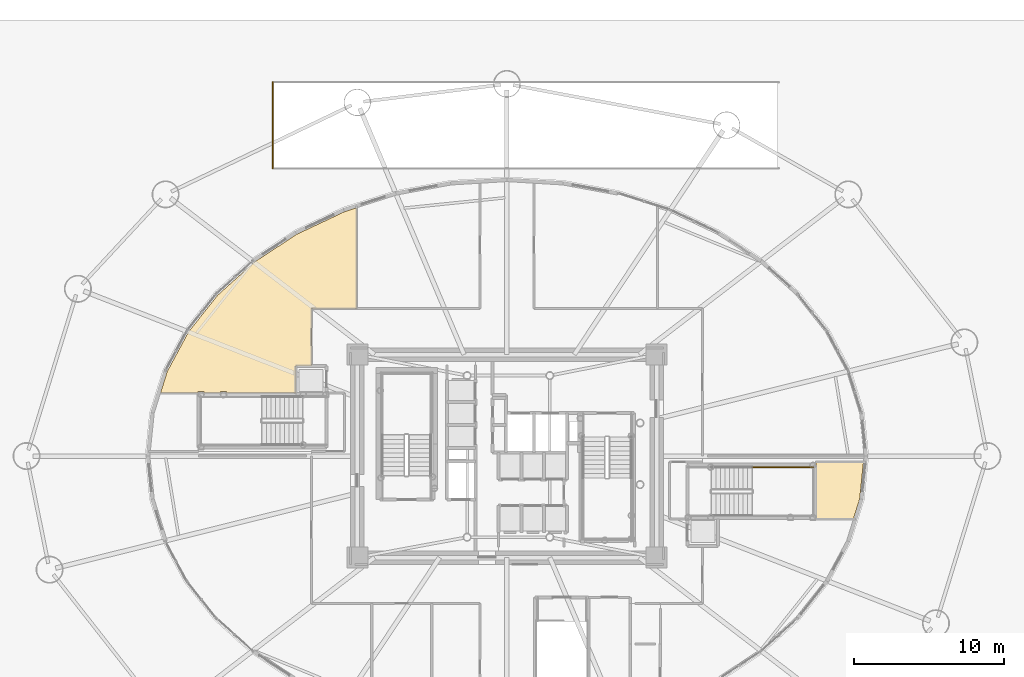
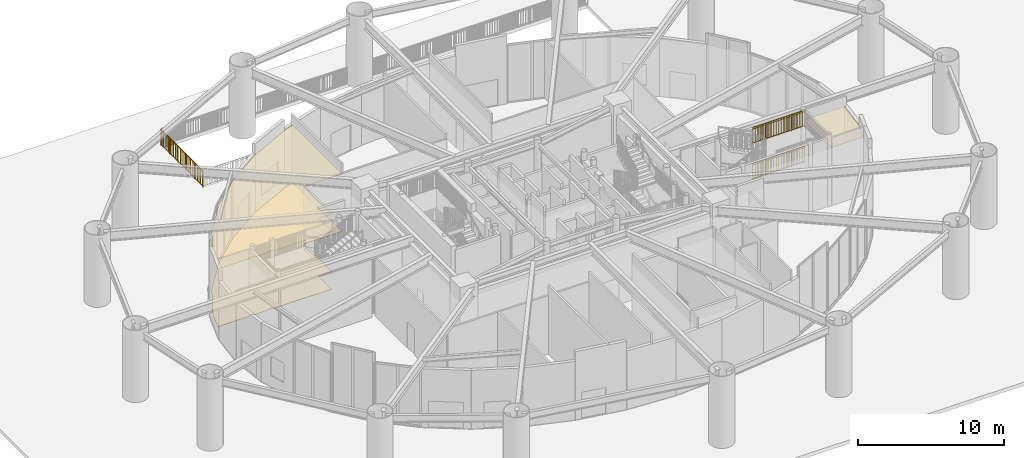
# One storey, part 44 of 46: 3 coverings, 3 railings.
"""IFC4 building model written with IfcOpenShell, lengths in metres."""

from ifc_helpers import new_model, si_unit, direction, frame, origin, origin_2d, place, context, subcontext, project, spatial, polyline, rectangle, outline, extrude, source, transform, mapped, material, layer, layer_set, type_object, element, save


model = new_model("IFC4")

# Units and contexts
model_context = context("Model", 3, precision=1e-05, world=origin(), true_north=direction((0.0, 1.0)))
body_context = subcontext(model_context, "Body", "Model", "MODEL_VIEW")
ifc_project = project(units=[si_unit("LENGTHUNIT", "METRE"), si_unit("AREAUNIT", "SQUARE_METRE"), si_unit("VOLUMEUNIT", "CUBIC_METRE"), si_unit("PLANEANGLEUNIT", "RADIAN"), si_unit("MASSUNIT", "GRAM", prefix="KILO")], contexts=[model_context])

# Site, building, storey
site_placement = place(None, origin())
site = spatial("IfcSite", under=ifc_project, at=site_placement, CompositionType="ELEMENT")
building_placement = place(site_placement, origin())
building = spatial("IfcBuilding", under=site, at=building_placement, Name="Linh Dai School and Residence Tower", CompositionType="ELEMENT")
storey_placement = place(building_placement, origin())
storey = spatial("IfcBuildingStorey", under=building, at=storey_placement, Name="L00", CompositionType="ELEMENT", Elevation=0.0)

# Coverings
ifc_material_1 = material(Name="Mineral Fibre Acoustic Suspended Ceiling", Category="masonry")
ifc_layer_1 = layer(ifc_material_1, 0.02001953125)
ifc_layer_set_1 = layer_set([ifc_layer_1], Name="Mineral Fibre Acoustic Suspended Ceiling")
covering_type_1 = type_object("IfcCoveringType", Name="COV-CEIL-AC-20", PredefinedType="CEILING", material=ifc_layer_set_1)
covering_1_placement = place(storey_placement, frame((0.0, 0.0, 4.800048828125)))
element("IfcCovering", 1, at=covering_1_placement, inside=storey, type_object=covering_type_1, Name="L00 Protected Exit Stair STS2 Discharge Passage East Suspended Ceiling", PredefinedType="CEILING", context=body_context, shape_type="SweptSolid", body=[
    extrude(outline(polyline([(56.55322265625, 26.60009765625), (59.709228515625, 26.60009765625), (59.459716796875, 24.15625), (59.037109375, 22.800048828125), (56.55322265625, 22.800048828125), (56.55322265625, 23.123291015625), (56.52001953125, 23.123291015625), (56.52001953125, 26.1767578125), (56.55322265625, 26.1767578125), (56.55322265625, 26.60009765625)])), origin(), (0.0, 0.0, 1.0), 0.02001953125),
])
covering_2_placement = place(storey_placement, frame((0.0, 0.0, 4.800048828125)))
element("IfcCovering", 2, at=covering_2_placement, inside=storey, type_object=covering_type_1, Name="L00 Vertical School Dedicated Entrance Foyer Suspended Ceiling", PredefinedType="CEILING", context=body_context, shape_type="SweptSolid", body=[
    extrude(outline(polyline([(13.405029296875, 32.61962890625), (14.824462890625, 35.260986328125), (16.765380859375, 37.70263671875), (19.18212890625, 39.883544921875), (22.015380859375, 41.748779296875), (25.195556640625, 43.2509765625), (26.0, 43.5078125), (26.0, 36.800048828125), (23.0, 36.800048828125), (23.0, 33.0), (21.949951171875, 33.0), (21.949951171875, 31.199951171875), (17.353271484375, 31.199951171875), (17.353271484375, 31.283203125), (16.94677734375, 31.283203125), (16.94677734375, 31.199951171875), (15.853271484375, 31.199951171875), (15.853271484375, 31.283203125), (15.44677734375, 31.283203125), (15.44677734375, 31.199951171875), (12.962890625, 31.199951171875), (13.405029296875, 32.61962890625)])), origin(), (0.0, 0.0, 1.0), 0.02001953125),
])
ifc_material_2 = material(Name="Polished Terrazzo Floor Finish", Category="masonry")
ifc_layer_2 = layer(ifc_material_2, 0.02490234375)
ifc_layer_set_2 = layer_set([ifc_layer_2], Name="Polished Terrazzo Floor Finish")
covering_type_2 = type_object("IfcCoveringType", Name="COV-FLR-TRZ-25", PredefinedType="FLOORING", material=ifc_layer_set_2)
covering_3_placement = place(storey_placement, origin())
element("IfcCovering", 3, at=covering_3_placement, inside=storey, type_object=covering_type_2, Name="L00 Vertical School Dedicated Entrance Foyer Floor Finish", PredefinedType="FLOORING", context=body_context, shape_type="SweptSolid", body=[
    extrude(outline(polyline([(13.405029296875, 32.61962890625), (14.824462890625, 35.260986328125), (16.765380859375, 37.70263671875), (19.18212890625, 39.883544921875), (22.015380859375, 41.748779296875), (25.195556640625, 43.2509765625), (26.0, 43.5078125), (26.0, 36.800048828125), (23.0, 36.800048828125), (23.0, 33.0), (21.949951171875, 33.0), (21.949951171875, 31.199951171875), (17.353271484375, 31.199951171875), (17.353271484375, 31.283203125), (16.94677734375, 31.283203125), (16.94677734375, 31.199951171875), (15.853271484375, 31.199951171875), (15.853271484375, 31.283203125), (15.44677734375, 31.283203125), (15.44677734375, 31.199951171875), (12.962890625, 31.199951171875), (13.405029296875, 32.61962890625)])), origin(), (0.0, 0.0, 1.0), 0.02001953125),
])

# Railings
ifc_material_3 = material(Name="Structural Steel S355JR", Category="steel")
railing_type_1 = type_object("IfcRailingType", Name="RLG-SGRD", PredefinedType="GUARDRAIL", material=ifc_material_3)
shared_shape_1 = source(origin(), body_context, "Body", "SweptSolid", [
    extrude(rectangle(XDim=0.048095703125, YDim=0.048095703125, at=origin_2d()), frame((0.0, 0.0, 1.3759765625), z_axis=(0.0, -1.0, 0.0), x_axis=(1.0, 0.0, 0.0)), (0.0, 0.0, 1.0), 5.72705078125),
    extrude(rectangle(XDim=0.048095703125, YDim=0.048095703125, at=origin_2d()), frame((0.0, 0.0, 0.10009765625), z_axis=(0.0, -1.0, 0.0), x_axis=(1.0, 0.0, 0.0)), (0.0, 0.0, 1.0), 5.72705078125),
    extrude(rectangle(XDim=0.030029296875, YDim=0.030029296875, at=origin_2d()), frame((0.0, 0.0, 1.239990234375), z_axis=(0.0, -1.0, 0.0), x_axis=(1.0, 0.0, 0.0)), (0.0, 0.0, 1.0), 5.72705078125),
    extrude(rectangle(XDim=0.02001953125, YDim=0.02001953125, at=origin_2d()), frame((0.0, -0.09716796875, 0.10009765625)), (0.0, 0.0, 1.0), 1.251708984375),
    extrude(rectangle(XDim=0.02001953125, YDim=0.02001953125, at=origin_2d()), frame((0.0, -0.194091796875, 0.10009765625)), (0.0, 0.0, 1.0), 1.251708984375),
    extrude(rectangle(XDim=0.02001953125, YDim=0.02001953125, at=origin_2d()), frame((0.0, -0.291259765625, 0.10009765625)), (0.0, 0.0, 1.0), 1.251708984375),
    extrude(rectangle(XDim=0.02001953125, YDim=0.02001953125, at=origin_2d()), frame((0.0, -0.38818359375, 0.10009765625)), (0.0, 0.0, 1.0), 1.251708984375),
    extrude(rectangle(XDim=0.02001953125, YDim=0.02001953125, at=origin_2d()), frame((0.0, -0.4853515625, 0.10009765625)), (0.0, 0.0, 1.0), 1.251708984375),
    extrude(rectangle(XDim=0.02001953125, YDim=0.02001953125, at=origin_2d()), frame((0.0, -0.58251953125, 0.10009765625)), (0.0, 0.0, 1.0), 1.251708984375),
    extrude(rectangle(XDim=0.02001953125, YDim=0.02001953125, at=origin_2d()), frame((0.0, -0.679443359375, 0.10009765625)), (0.0, 0.0, 1.0), 1.251708984375),
    extrude(rectangle(XDim=0.02001953125, YDim=0.02001953125, at=origin_2d()), frame((0.0, -0.776611328125, 0.10009765625)), (0.0, 0.0, 1.0), 1.251708984375),
    extrude(rectangle(XDim=0.02001953125, YDim=0.02001953125, at=origin_2d()), frame((0.0, -0.87353515625, 0.10009765625)), (0.0, 0.0, 1.0), 1.251708984375),
    extrude(rectangle(XDim=0.02001953125, YDim=0.02001953125, at=origin_2d()), frame((0.0, -0.970703125, 0.10009765625)), (0.0, 0.0, 1.0), 1.251708984375),
    extrude(rectangle(XDim=0.02001953125, YDim=0.02001953125, at=origin_2d()), frame((0.0, -1.06787109375, 0.10009765625)), (0.0, 0.0, 1.0), 1.251708984375),
    extrude(rectangle(XDim=0.02001953125, YDim=0.02001953125, at=origin_2d()), frame((0.0, -1.261962890625, 0.10009765625)), (0.0, 0.0, 1.0), 1.251708984375),
    extrude(rectangle(XDim=0.02001953125, YDim=0.02001953125, at=origin_2d()), frame((0.0, -1.35888671875, 0.10009765625)), (0.0, 0.0, 1.0), 1.251708984375),
    extrude(rectangle(XDim=0.02001953125, YDim=0.02001953125, at=origin_2d()), frame((0.0, -1.4560546875, 0.10009765625)), (0.0, 0.0, 1.0), 1.251708984375),
    extrude(rectangle(XDim=0.02001953125, YDim=0.02001953125, at=origin_2d()), frame((0.0, -1.552978515625, 0.10009765625)), (0.0, 0.0, 1.0), 1.251708984375),
    extrude(rectangle(XDim=0.02001953125, YDim=0.02001953125, at=origin_2d()), frame((0.0, -1.650146484375, 0.10009765625)), (0.0, 0.0, 1.0), 1.251708984375),
    extrude(rectangle(XDim=0.02001953125, YDim=0.02001953125, at=origin_2d()), frame((0.0, -1.747314453125, 0.10009765625)), (0.0, 0.0, 1.0), 1.251708984375),
    extrude(rectangle(XDim=0.02001953125, YDim=0.02001953125, at=origin_2d()), frame((0.0, -1.84423828125, 0.10009765625)), (0.0, 0.0, 1.0), 1.251708984375),
    extrude(rectangle(XDim=0.02001953125, YDim=0.02001953125, at=origin_2d()), frame((0.0, -1.94140625, 0.10009765625)), (0.0, 0.0, 1.0), 1.251708984375),
    extrude(rectangle(XDim=0.02001953125, YDim=0.02001953125, at=origin_2d()), frame((0.0, -2.038330078125, 0.10009765625)), (0.0, 0.0, 1.0), 1.251708984375),
    extrude(rectangle(XDim=0.02001953125, YDim=0.02001953125, at=origin_2d()), frame((0.0, -2.135498046875, 0.10009765625)), (0.0, 0.0, 1.0), 1.251708984375),
    extrude(rectangle(XDim=0.02001953125, YDim=0.02001953125, at=origin_2d()), frame((0.0, -2.232666015625, 0.10009765625)), (0.0, 0.0, 1.0), 1.251708984375),
    extrude(rectangle(XDim=0.02001953125, YDim=0.02001953125, at=origin_2d()), frame((0.0, -2.4267578125, 0.10009765625)), (0.0, 0.0, 1.0), 1.251708984375),
    extrude(rectangle(XDim=0.02001953125, YDim=0.02001953125, at=origin_2d()), frame((0.0, -2.523681640625, 0.10009765625)), (0.0, 0.0, 1.0), 1.251708984375),
    extrude(rectangle(XDim=0.02001953125, YDim=0.02001953125, at=origin_2d()), frame((0.0, -2.620849609375, 0.10009765625)), (0.0, 0.0, 1.0), 1.251708984375),
    extrude(rectangle(XDim=0.02001953125, YDim=0.02001953125, at=origin_2d()), frame((0.0, -2.718017578125, 0.10009765625)), (0.0, 0.0, 1.0), 1.251708984375),
    extrude(rectangle(XDim=0.02001953125, YDim=0.02001953125, at=origin_2d()), frame((0.0, -2.81494140625, 0.10009765625)), (0.0, 0.0, 1.0), 1.251708984375),
    extrude(rectangle(XDim=0.02001953125, YDim=0.02001953125, at=origin_2d()), frame((0.0, -2.912109375, 0.10009765625)), (0.0, 0.0, 1.0), 1.251708984375),
    extrude(rectangle(XDim=0.02001953125, YDim=0.02001953125, at=origin_2d()), frame((0.0, -3.009033203125, 0.10009765625)), (0.0, 0.0, 1.0), 1.251708984375),
    extrude(rectangle(XDim=0.02001953125, YDim=0.02001953125, at=origin_2d()), frame((0.0, -3.106201171875, 0.10009765625)), (0.0, 0.0, 1.0), 1.251708984375),
    extrude(rectangle(XDim=0.02001953125, YDim=0.02001953125, at=origin_2d()), frame((0.0, -3.203369140625, 0.10009765625)), (0.0, 0.0, 1.0), 1.251708984375),
    extrude(rectangle(XDim=0.02001953125, YDim=0.02001953125, at=origin_2d()), frame((0.0, -3.30029296875, 0.10009765625)), (0.0, 0.0, 1.0), 1.251708984375),
    extrude(rectangle(XDim=0.02001953125, YDim=0.02001953125, at=origin_2d()), frame((0.0, -3.494384765625, 0.10009765625)), (0.0, 0.0, 1.0), 1.251708984375),
    extrude(rectangle(XDim=0.02001953125, YDim=0.02001953125, at=origin_2d()), frame((0.0, -3.591552734375, 0.10009765625)), (0.0, 0.0, 1.0), 1.251708984375),
    extrude(rectangle(XDim=0.02001953125, YDim=0.02001953125, at=origin_2d()), frame((0.0, -3.688720703125, 0.10009765625)), (0.0, 0.0, 1.0), 1.251708984375),
    extrude(rectangle(XDim=0.02001953125, YDim=0.02001953125, at=origin_2d()), frame((0.0, -3.78564453125, 0.10009765625)), (0.0, 0.0, 1.0), 1.251708984375),
    extrude(rectangle(XDim=0.02001953125, YDim=0.02001953125, at=origin_2d()), frame((0.0, -3.8828125, 0.10009765625)), (0.0, 0.0, 1.0), 1.251708984375),
    extrude(rectangle(XDim=0.02001953125, YDim=0.02001953125, at=origin_2d()), frame((0.0, -3.979736328125, 0.10009765625)), (0.0, 0.0, 1.0), 1.251708984375),
    extrude(rectangle(XDim=0.02001953125, YDim=0.02001953125, at=origin_2d()), frame((0.0, -4.076904296875, 0.10009765625)), (0.0, 0.0, 1.0), 1.251708984375),
    extrude(rectangle(XDim=0.02001953125, YDim=0.02001953125, at=origin_2d()), frame((0.0, -4.174072265625, 0.10009765625)), (0.0, 0.0, 1.0), 1.251708984375),
    extrude(rectangle(XDim=0.02001953125, YDim=0.02001953125, at=origin_2d()), frame((0.0, -4.27099609375, 0.10009765625)), (0.0, 0.0, 1.0), 1.251708984375),
    extrude(rectangle(XDim=0.02001953125, YDim=0.02001953125, at=origin_2d()), frame((0.0, -4.3681640625, 0.10009765625)), (0.0, 0.0, 1.0), 1.251708984375),
    extrude(rectangle(XDim=0.02001953125, YDim=0.02001953125, at=origin_2d()), frame((0.0, -4.465087890625, 0.10009765625)), (0.0, 0.0, 1.0), 1.251708984375),
    extrude(rectangle(XDim=0.02001953125, YDim=0.02001953125, at=origin_2d()), frame((0.0, -4.6591796875, 0.10009765625)), (0.0, 0.0, 1.0), 1.251708984375),
    extrude(rectangle(XDim=0.02001953125, YDim=0.02001953125, at=origin_2d()), frame((0.0, -4.75634765625, 0.10009765625)), (0.0, 0.0, 1.0), 1.251708984375),
    extrude(rectangle(XDim=0.02001953125, YDim=0.02001953125, at=origin_2d()), frame((0.0, -4.853515625, 0.10009765625)), (0.0, 0.0, 1.0), 1.251708984375),
    extrude(rectangle(XDim=0.02001953125, YDim=0.02001953125, at=origin_2d()), frame((0.0, -4.950439453125, 0.10009765625)), (0.0, 0.0, 1.0), 1.251708984375),
    extrude(rectangle(XDim=0.02001953125, YDim=0.02001953125, at=origin_2d()), frame((0.0, -5.047607421875, 0.10009765625)), (0.0, 0.0, 1.0), 1.251708984375),
    extrude(rectangle(XDim=0.02001953125, YDim=0.02001953125, at=origin_2d()), frame((0.0, -5.14453125, 0.10009765625)), (0.0, 0.0, 1.0), 1.251708984375),
    extrude(rectangle(XDim=0.02001953125, YDim=0.02001953125, at=origin_2d()), frame((0.0, -5.24169921875, 0.10009765625)), (0.0, 0.0, 1.0), 1.251708984375),
    extrude(rectangle(XDim=0.02001953125, YDim=0.02001953125, at=origin_2d()), frame((0.0, -5.3388671875, 0.10009765625)), (0.0, 0.0, 1.0), 1.251708984375),
    extrude(rectangle(XDim=0.02001953125, YDim=0.02001953125, at=origin_2d()), frame((0.0, -5.435791015625, 0.10009765625)), (0.0, 0.0, 1.0), 1.251708984375),
    extrude(rectangle(XDim=0.02001953125, YDim=0.02001953125, at=origin_2d()), frame((0.0, -5.532958984375, 0.10009765625)), (0.0, 0.0, 1.0), 1.251708984375),
    extrude(rectangle(XDim=0.02001953125, YDim=0.02001953125, at=origin_2d()), frame((0.0, -5.6298828125, 0.10009765625)), (0.0, 0.0, 1.0), 1.251708984375),
    extrude(rectangle(XDim=0.0419921875, YDim=0.0419921875, at=origin_2d()), origin(), (0.0, 0.0, 1.0), 1.3759765625),
    extrude(rectangle(XDim=0.0419921875, YDim=0.0419921875, at=origin_2d()), frame((0.0, -1.1455078125, 0.0)), (0.0, 0.0, 1.0), 1.3759765625),
    extrude(rectangle(XDim=0.0419921875, YDim=0.0419921875, at=origin_2d()), frame((0.0, -2.290771484375, 0.0)), (0.0, 0.0, 1.0), 1.3759765625),
    extrude(rectangle(XDim=0.0419921875, YDim=0.0419921875, at=origin_2d()), frame((0.0, -3.436279296875, 0.0)), (0.0, 0.0, 1.0), 1.3759765625),
    extrude(rectangle(XDim=0.0419921875, YDim=0.0419921875, at=origin_2d()), frame((0.0, -4.58154296875, 0.0)), (0.0, 0.0, 1.0), 1.3759765625),
    extrude(rectangle(XDim=0.0419921875, YDim=0.0419921875, at=origin_2d()), frame((0.0, -5.72705078125, 0.0)), (0.0, 0.0, 1.0), 1.3759765625),
])
railing_placement = place(storey_placement, frame((20.421142578125, 51.863525390625, 0.0)))
element("IfcRailing", 4, at=railing_placement, inside=storey, type_object=railing_type_1, Name="L00 VR2 Opening Guardrail 4", PredefinedType="GUARDRAIL", context=body_context, shape_type="MappedRepresentation", body=[
    mapped(shared_shape_1, transform((0.0, 0.0, 0.0), x_axis=(1.0, 0.0, 0.0), y_axis=(0.0, 1.0, 0.0), z_axis=(0.0, 0.0, 1.0), scale=1.0)),
])
railing_type_2 = type_object("IfcRailingType", Name="RL-ST-GUARD-1400", PredefinedType="GUARDRAIL", material=ifc_material_3)
shared_shape_2 = source(origin(), body_context, "Body", "SweptSolid", [
    extrude(rectangle(XDim=0.048095703125, YDim=0.048095703125, at=origin_2d()), frame((0.0, 0.0, 1.3759765625), z_axis=(1.0, 0.0, 0.0), x_axis=(0.0, 1.0, 0.0)), (0.0, 0.0, 1.0), 4.099853515625),
    extrude(rectangle(XDim=0.048095703125, YDim=0.048095703125, at=origin_2d()), frame((0.0, 0.0, 0.10009765625), z_axis=(1.0, 0.0, 0.0), x_axis=(0.0, 1.0, 0.0)), (0.0, 0.0, 1.0), 4.099853515625),
    extrude(rectangle(XDim=0.030029296875, YDim=0.030029296875, at=origin_2d()), frame((0.0, 0.0, 1.239990234375), z_axis=(1.0, 0.0, 0.0), x_axis=(0.0, 1.0, 0.0)), (0.0, 0.0, 1.0), 4.099853515625),
    extrude(rectangle(XDim=0.02001953125, YDim=0.02001953125, at=origin_2d()), frame((0.09765625, 0.0, 0.10009765625)), (0.0, 0.0, 1.0), 1.251708984375),
    extrude(rectangle(XDim=0.02001953125, YDim=0.02001953125, at=origin_2d()), frame((0.1953125, 0.0, 0.10009765625)), (0.0, 0.0, 1.0), 1.251708984375),
    extrude(rectangle(XDim=0.02001953125, YDim=0.02001953125, at=origin_2d()), frame((0.29296875, 0.0, 0.10009765625)), (0.0, 0.0, 1.0), 1.251708984375),
    extrude(rectangle(XDim=0.02001953125, YDim=0.02001953125, at=origin_2d()), frame((0.390380859375, 0.0, 0.10009765625)), (0.0, 0.0, 1.0), 1.251708984375),
    extrude(rectangle(XDim=0.02001953125, YDim=0.02001953125, at=origin_2d()), frame((0.488037109375, 0.0, 0.10009765625)), (0.0, 0.0, 1.0), 1.251708984375),
    extrude(rectangle(XDim=0.02001953125, YDim=0.02001953125, at=origin_2d()), frame((0.585693359375, 0.0, 0.10009765625)), (0.0, 0.0, 1.0), 1.251708984375),
    extrude(rectangle(XDim=0.02001953125, YDim=0.02001953125, at=origin_2d()), frame((0.683349609375, 0.0, 0.10009765625)), (0.0, 0.0, 1.0), 1.251708984375),
    extrude(rectangle(XDim=0.02001953125, YDim=0.02001953125, at=origin_2d()), frame((0.781005859375, 0.0, 0.10009765625)), (0.0, 0.0, 1.0), 1.251708984375),
    extrude(rectangle(XDim=0.02001953125, YDim=0.02001953125, at=origin_2d()), frame((0.87841796875, 0.0, 0.10009765625)), (0.0, 0.0, 1.0), 1.251708984375),
    extrude(rectangle(XDim=0.02001953125, YDim=0.02001953125, at=origin_2d()), frame((0.97607421875, 0.0, 0.10009765625)), (0.0, 0.0, 1.0), 1.251708984375),
    extrude(rectangle(XDim=0.02001953125, YDim=0.02001953125, at=origin_2d()), frame((1.07373046875, 0.0, 0.10009765625)), (0.0, 0.0, 1.0), 1.251708984375),
    extrude(rectangle(XDim=0.02001953125, YDim=0.02001953125, at=origin_2d()), frame((1.17138671875, 0.0, 0.10009765625)), (0.0, 0.0, 1.0), 1.251708984375),
    extrude(rectangle(XDim=0.02001953125, YDim=0.02001953125, at=origin_2d()), frame((1.26904296875, 0.0, 0.10009765625)), (0.0, 0.0, 1.0), 1.251708984375),
    extrude(rectangle(XDim=0.02001953125, YDim=0.02001953125, at=origin_2d()), frame((1.36669921875, 0.0, 0.10009765625)), (0.0, 0.0, 1.0), 1.251708984375),
    extrude(rectangle(XDim=0.02001953125, YDim=0.02001953125, at=origin_2d()), frame((1.46435546875, 0.0, 0.10009765625)), (0.0, 0.0, 1.0), 1.251708984375),
    extrude(rectangle(XDim=0.02001953125, YDim=0.02001953125, at=origin_2d()), frame((1.561767578125, 0.0, 0.10009765625)), (0.0, 0.0, 1.0), 1.251708984375),
    extrude(rectangle(XDim=0.02001953125, YDim=0.02001953125, at=origin_2d()), frame((1.659423828125, 0.0, 0.10009765625)), (0.0, 0.0, 1.0), 1.251708984375),
    extrude(rectangle(XDim=0.02001953125, YDim=0.02001953125, at=origin_2d()), frame((1.757080078125, 0.0, 0.10009765625)), (0.0, 0.0, 1.0), 1.251708984375),
    extrude(rectangle(XDim=0.02001953125, YDim=0.02001953125, at=origin_2d()), frame((1.854736328125, 0.0, 0.10009765625)), (0.0, 0.0, 1.0), 1.251708984375),
    extrude(rectangle(XDim=0.02001953125, YDim=0.02001953125, at=origin_2d()), frame((1.952392578125, 0.0, 0.10009765625)), (0.0, 0.0, 1.0), 1.251708984375),
    extrude(rectangle(XDim=0.02001953125, YDim=0.02001953125, at=origin_2d()), frame((2.1474609375, 0.0, 0.10009765625)), (0.0, 0.0, 1.0), 1.251708984375),
    extrude(rectangle(XDim=0.02001953125, YDim=0.02001953125, at=origin_2d()), frame((2.2451171875, 0.0, 0.10009765625)), (0.0, 0.0, 1.0), 1.251708984375),
    extrude(rectangle(XDim=0.02001953125, YDim=0.02001953125, at=origin_2d()), frame((2.3427734375, 0.0, 0.10009765625)), (0.0, 0.0, 1.0), 1.251708984375),
    extrude(rectangle(XDim=0.02001953125, YDim=0.02001953125, at=origin_2d()), frame((2.4404296875, 0.0, 0.10009765625)), (0.0, 0.0, 1.0), 1.251708984375),
    extrude(rectangle(XDim=0.02001953125, YDim=0.02001953125, at=origin_2d()), frame((2.5380859375, 0.0, 0.10009765625)), (0.0, 0.0, 1.0), 1.251708984375),
    extrude(rectangle(XDim=0.02001953125, YDim=0.02001953125, at=origin_2d()), frame((2.6357421875, 0.0, 0.10009765625)), (0.0, 0.0, 1.0), 1.251708984375),
    extrude(rectangle(XDim=0.02001953125, YDim=0.02001953125, at=origin_2d()), frame((2.733154296875, 0.0, 0.10009765625)), (0.0, 0.0, 1.0), 1.251708984375),
    extrude(rectangle(XDim=0.02001953125, YDim=0.02001953125, at=origin_2d()), frame((2.830810546875, 0.0, 0.10009765625)), (0.0, 0.0, 1.0), 1.251708984375),
    extrude(rectangle(XDim=0.02001953125, YDim=0.02001953125, at=origin_2d()), frame((2.928466796875, 0.0, 0.10009765625)), (0.0, 0.0, 1.0), 1.251708984375),
    extrude(rectangle(XDim=0.02001953125, YDim=0.02001953125, at=origin_2d()), frame((3.026123046875, 0.0, 0.10009765625)), (0.0, 0.0, 1.0), 1.251708984375),
    extrude(rectangle(XDim=0.02001953125, YDim=0.02001953125, at=origin_2d()), frame((3.123779296875, 0.0, 0.10009765625)), (0.0, 0.0, 1.0), 1.251708984375),
    extrude(rectangle(XDim=0.02001953125, YDim=0.02001953125, at=origin_2d()), frame((3.22119140625, 0.0, 0.10009765625)), (0.0, 0.0, 1.0), 1.251708984375),
    extrude(rectangle(XDim=0.02001953125, YDim=0.02001953125, at=origin_2d()), frame((3.31884765625, 0.0, 0.10009765625)), (0.0, 0.0, 1.0), 1.251708984375),
    extrude(rectangle(XDim=0.02001953125, YDim=0.02001953125, at=origin_2d()), frame((3.41650390625, 0.0, 0.10009765625)), (0.0, 0.0, 1.0), 1.251708984375),
    extrude(rectangle(XDim=0.02001953125, YDim=0.02001953125, at=origin_2d()), frame((3.51416015625, 0.0, 0.10009765625)), (0.0, 0.0, 1.0), 1.251708984375),
    extrude(rectangle(XDim=0.02001953125, YDim=0.02001953125, at=origin_2d()), frame((3.61181640625, 0.0, 0.10009765625)), (0.0, 0.0, 1.0), 1.251708984375),
    extrude(rectangle(XDim=0.02001953125, YDim=0.02001953125, at=origin_2d()), frame((3.70947265625, 0.0, 0.10009765625)), (0.0, 0.0, 1.0), 1.251708984375),
    extrude(rectangle(XDim=0.02001953125, YDim=0.02001953125, at=origin_2d()), frame((3.80712890625, 0.0, 0.10009765625)), (0.0, 0.0, 1.0), 1.251708984375),
    extrude(rectangle(XDim=0.02001953125, YDim=0.02001953125, at=origin_2d()), frame((3.904541015625, 0.0, 0.10009765625)), (0.0, 0.0, 1.0), 1.251708984375),
    extrude(rectangle(XDim=0.02001953125, YDim=0.02001953125, at=origin_2d()), frame((4.002197265625, 0.0, 0.10009765625)), (0.0, 0.0, 1.0), 1.251708984375),
    extrude(rectangle(XDim=0.0419921875, YDim=0.0419921875, at=origin_2d()), origin(), (0.0, 0.0, 1.0), 1.3759765625),
    extrude(rectangle(XDim=0.0419921875, YDim=0.0419921875, at=origin_2d()), frame((1.02490234375, 0.0, 0.0)), (0.0, 0.0, 1.0), 1.3759765625),
    extrude(rectangle(XDim=0.0419921875, YDim=0.0419921875, at=origin_2d()), frame((2.0498046875, 0.0, 0.0)), (0.0, 0.0, 1.0), 1.3759765625),
    extrude(rectangle(XDim=0.0419921875, YDim=0.0419921875, at=origin_2d()), frame((3.074951171875, 0.0, 0.0)), (0.0, 0.0, 1.0), 1.3759765625),
    extrude(rectangle(XDim=0.0419921875, YDim=0.0419921875, at=origin_2d()), frame((4.099853515625, 0.0, 0.0)), (0.0, 0.0, 1.0), 1.3759765625),
])
for number, where, name in (
    (5, (52.300048828125, 26.25, 1.5), "L00 STS2 stair guard 4"),
    (6, (52.300048828125, 26.25, 4.5), "L00 STS2 stair guard 13"),
):
    element("IfcRailing", number, at=place(storey_placement, frame(where)), inside=storey, type_object=railing_type_2, Name=name, PredefinedType="GUARDRAIL", context=body_context, shape_type="MappedRepresentation", body=[
        mapped(shared_shape_2, transform((0.0, 0.0, 0.0), x_axis=(1.0, 0.0, 0.0), y_axis=(0.0, 1.0, 0.0), z_axis=(0.0, 0.0, 1.0), scale=1.0)),
    ])

save(model, "model.ifc")
